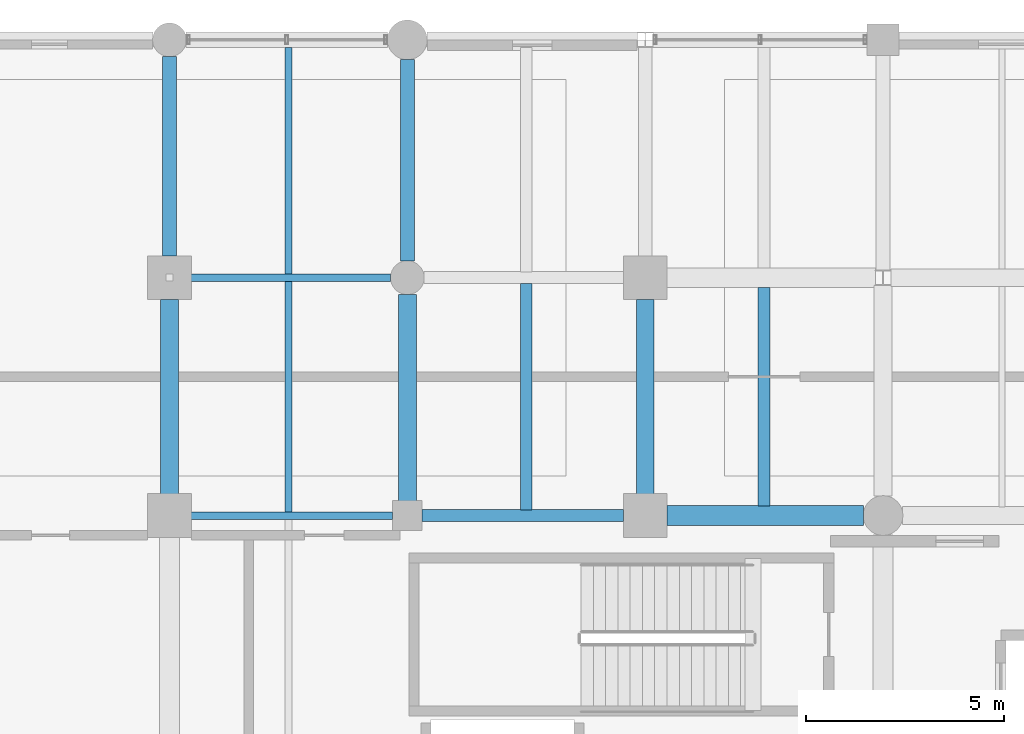
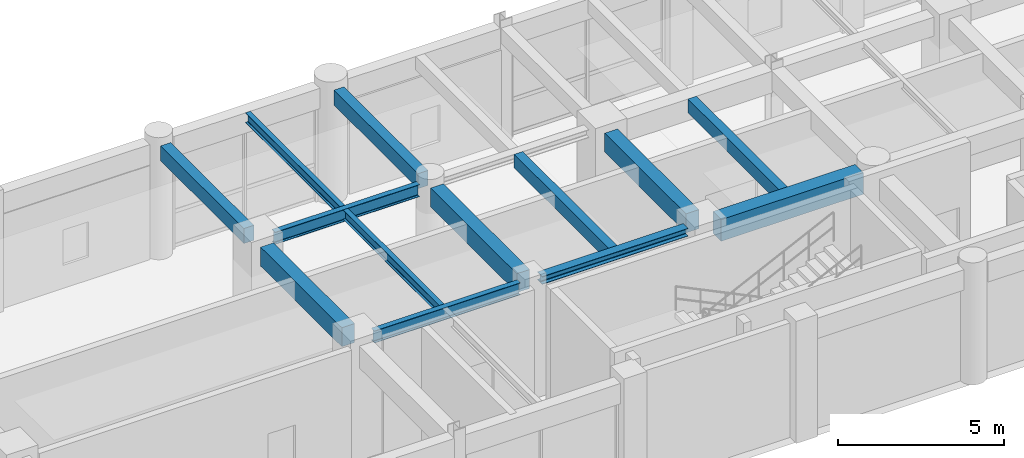
# One storey, part 52 of 133: 13 beams.
"""IFC4 building model written with IfcOpenShell, lengths in metres."""

from ifc_helpers import new_model, si_unit, direction, frame, origin, origin_2d, place, context, subcontext, project, spatial, rectangle, i_section, extrude, material, material_profile, profile_set, type_object, element, save


model = new_model("IFC4")

# Units and contexts
model_context = context("Model", 3, precision=1e-05, world=origin(), true_north=direction((0.0, 1.0)))
body_context = subcontext(model_context, "Body", "Model", "MODEL_VIEW")
ifc_project = project(units=[si_unit("LENGTHUNIT", "METRE"), si_unit("AREAUNIT", "SQUARE_METRE"), si_unit("VOLUMEUNIT", "CUBIC_METRE"), si_unit("PLANEANGLEUNIT", "RADIAN"), si_unit("MASSUNIT", "GRAM", prefix="KILO"), si_unit("THERMODYNAMICTEMPERATUREUNIT", "KELVIN"), si_unit("POWERUNIT", "WATT")], contexts=[model_context])

# Site, building, storey
site_placement = place(None, origin())
site = spatial("IfcSite", under=ifc_project, at=site_placement, CompositionType="ELEMENT")
building_placement = place(site_placement, origin())
building = spatial("IfcBuilding", under=site, at=building_placement, Name="Phaisarnlok Congress Hotel", CompositionType="ELEMENT")
storey_placement = place(building_placement, frame((0.0, 0.0, 6.0)))
storey = spatial("IfcBuildingStorey", under=building, at=storey_placement, Name="L01", CompositionType="ELEMENT", Elevation=6.0)

# Beams
ifc_material_1 = material(Name="Concrete C40/50", Category="concrete")
ifc_material_profile_1 = material_profile(ifc_material_1, rectangle(XDim=0.35009765625, YDim=0.550048828125, at=origin_2d()), Name="RC 350x550")
ifc_profile_set_1 = profile_set([ifc_material_profile_1], Name="Concrete C40/50")
beam_type_1 = type_object("IfcBeamType", Name="BM-RC-350x550", PredefinedType="BEAM", material=ifc_profile_set_1)
beam_1_placement = place(storey_placement, frame((96.0, 120.544921875, 3.945068359375), z_axis=(0.0, 1.0, 0.0), x_axis=(-1.0, 0.0, 0.0)))
element("IfcBeam", 1, at=beam_1_placement, inside=storey, type_object=beam_type_1, Name="Beam B-01", PredefinedType="BEAM", context=body_context, shape_type="SweptSolid", body=[
    extrude(rectangle(XDim=0.35009765625, YDim=0.550048828125, at=origin_2d()), origin(), (0.0, 0.0, 1.0), 5.03515625),
])
beam_2_placement = place(storey_placement, frame((102.0, 120.419921875, 3.945068359375), z_axis=(0.0, 1.0, 0.0), x_axis=(-1.0, 0.0, 0.0)))
element("IfcBeam", 2, at=beam_2_placement, inside=storey, type_object=beam_type_1, Name="Beam B-01", PredefinedType="BEAM", context=body_context, shape_type="SweptSolid", body=[
    extrude(rectangle(XDim=0.35009765625, YDim=0.550048828125, at=origin_2d()), origin(), (0.0, 0.0, 1.0), 5.0849609375),
])
ifc_material_profile_2 = material_profile(ifc_material_1, rectangle(XDim=0.449951171875, YDim=0.699951171875, at=origin_2d()), Name="RC 450x700")
ifc_profile_set_2 = profile_set([ifc_material_profile_2], Name="Concrete C40/50")
beam_type_2 = type_object("IfcBeamType", Name="BM-RC-450x700", PredefinedType="BEAM", material=ifc_profile_set_2)
beam_3_placement = place(storey_placement, frame((96.0, 114.544921875, 3.8701171875), z_axis=(0.0, 1.0, 0.0), x_axis=(-1.0, 0.0, 0.0)))
element("IfcBeam", 3, at=beam_3_placement, inside=storey, type_object=beam_type_2, Name="Beam B-03", PredefinedType="BEAM", context=body_context, shape_type="SweptSolid", body=[
    extrude(rectangle(XDim=0.449951171875, YDim=0.699951171875, at=origin_2d()), origin(), (0.0, 0.0, 1.0), 4.91015625),
])
beam_4_placement = place(storey_placement, frame((102.0, 114.3701171875, 3.8701171875), z_axis=(0.0, 1.0, 0.0), x_axis=(-1.0, 0.0, 0.0)))
element("IfcBeam", 4, at=beam_4_placement, inside=storey, type_object=beam_type_2, Name="Beam B-03", PredefinedType="BEAM", context=body_context, shape_type="SweptSolid", body=[
    extrude(rectangle(XDim=0.449951171875, YDim=0.699951171875, at=origin_2d()), origin(), (0.0, 0.0, 1.0), 5.2099609375),
])
beam_5_placement = place(storey_placement, frame((108.0, 114.544921875, 3.8701171875), z_axis=(0.0, 1.0, 0.0), x_axis=(-1.0, 0.0, 0.0)))
element("IfcBeam", 5, at=beam_5_placement, inside=storey, type_object=beam_type_2, Name="Beam B-03", PredefinedType="BEAM", context=body_context, shape_type="SweptSolid", body=[
    extrude(rectangle(XDim=0.449951171875, YDim=0.699951171875, at=origin_2d()), origin(), (0.0, 0.0, 1.0), 4.91015625),
])
ifc_material_profile_3 = material_profile(ifc_material_1, rectangle(XDim=0.5, YDim=0.800048828125, at=origin_2d()), Name="RC 500x800")
ifc_profile_set_3 = profile_set([ifc_material_profile_3], Name="Concrete C40/50")
beam_type_3 = type_object("IfcBeamType", Name="BM-RC-500x800", PredefinedType="BEAM", material=ifc_profile_set_3)
beam_6_placement = place(storey_placement, frame((108.544921875, 114.0, 3.820068359375), z_axis=(1.0, 0.0, 0.0), x_axis=(0.0, 1.0, 0.0)))
element("IfcBeam", 6, at=beam_6_placement, inside=storey, type_object=beam_type_3, Name="Beam B-04", PredefinedType="BEAM", context=body_context, shape_type="SweptSolid", body=[
    extrude(rectangle(XDim=0.5, YDim=0.800048828125, at=origin_2d()), origin(), (0.0, 0.0, 1.0), 4.9599609375),
])
ifc_material_2 = material(Name="Steel S355", Category="steel")
ifc_material_profile_4 = material_profile(ifc_material_2, i_section(OverallWidth=0.300048828125, OverallDepth=0.2900390625, WebThickness=0.008544921875, FlangeThickness=0.013916015625, FilletRadius=0.027099609375, at=origin_2d()), Name="HEA 300")
ifc_profile_set_4 = profile_set([ifc_material_profile_4], Name="Steel S355")
beam_type_4 = type_object("IfcBeamType", Name="BM-STL-HEA300", PredefinedType="BEAM", material=ifc_profile_set_4)
beam_7_placement = place(storey_placement, frame((102.3701171875, 114.0, 4.074951171875), z_axis=(1.0, 0.0, 0.0), x_axis=(0.0, 1.0, 0.0)))
element("IfcBeam", 7, at=beam_7_placement, inside=storey, type_object=beam_type_4, Name="Beam SB-05", PredefinedType="BEAM", context=body_context, shape_type="SweptSolid", body=[
    extrude(i_section(OverallWidth=0.300048828125, OverallDepth=0.2900390625, WebThickness=0.008544921875, FlangeThickness=0.013916015625, FilletRadius=0.027099609375, at=origin_2d()), origin(), (0.0, 0.0, 1.0), 5.0849609375),
])
ifc_material_profile_5 = material_profile(ifc_material_2, i_section(OverallWidth=0.18994140625, OverallDepth=0.449951171875, WebThickness=0.009521484375, FlangeThickness=0.0146484375, FilletRadius=0.02099609375, at=origin_2d()), Name="IPE 450")
ifc_profile_set_5 = profile_set([ifc_material_profile_5], Name="Steel S355")
beam_type_5 = type_object("IfcBeamType", Name="BM-STL-IPE450", PredefinedType="BEAM", material=ifc_profile_set_5)
beam_8_placement = place(storey_placement, frame((96.544921875, 114.0, 3.9951171875), z_axis=(1.0, 0.0, 0.0), x_axis=(0.0, 1.0, 0.0)))
element("IfcBeam", 8, at=beam_8_placement, inside=storey, type_object=beam_type_5, Name="Beam SB-01", PredefinedType="BEAM", context=body_context, shape_type="SweptSolid", body=[
    extrude(i_section(OverallWidth=0.18994140625, OverallDepth=0.449951171875, WebThickness=0.009521484375, FlangeThickness=0.0146484375, FilletRadius=0.02099609375, at=origin_2d()), origin(), (0.0, 0.0, 1.0), 5.0849609375),
])
beam_9_placement = place(storey_placement, frame((96.544921875, 120.0, 3.9951171875), z_axis=(1.0, 0.0, 0.0), x_axis=(0.0, 1.0, 0.0)))
element("IfcBeam", 9, at=beam_9_placement, inside=storey, type_object=beam_type_5, Name="Beam SB-01", PredefinedType="BEAM", context=body_context, shape_type="SweptSolid", body=[
    extrude(i_section(OverallWidth=0.18994140625, OverallDepth=0.449951171875, WebThickness=0.009521484375, FlangeThickness=0.0146484375, FilletRadius=0.02099609375, at=origin_2d()), origin(), (0.0, 0.0, 1.0), 5.03515625),
])
ifc_material_profile_6 = material_profile(ifc_material_1, rectangle(XDim=0.300048828125, YDim=0.5, at=origin_2d()), Name="RC 300x500")
ifc_profile_set_6 = profile_set([ifc_material_profile_6], Name="Concrete C40/50")
beam_type_6 = type_object("IfcBeamType", Name="JS-RC-300x500", PredefinedType="JOIST", material=ifc_profile_set_6)
beam_10_placement = place(storey_placement, frame((105.0, 114.14501953125, 3.969970703125), z_axis=(0.0, 1.0, 0.0), x_axis=(-1.0, 0.0, 0.0)))
element("IfcBeam", 10, at=beam_10_placement, inside=storey, type_object=beam_type_6, Name="Secondary floor joist J-01", PredefinedType="JOIST", context=body_context, shape_type="SweptSolid", body=[
    extrude(rectangle(XDim=0.300048828125, YDim=0.5, at=origin_2d()), origin(), (0.0, 0.0, 1.0), 5.7099609375),
])
beam_11_placement = place(storey_placement, frame((111.0, 114.2451171875, 3.969970703125), z_axis=(0.0, 1.0, 0.0), x_axis=(-1.0, 0.0, 0.0)))
element("IfcBeam", 11, at=beam_11_placement, inside=storey, type_object=beam_type_6, Name="Secondary floor joist J-01", PredefinedType="JOIST", context=body_context, shape_type="SweptSolid", body=[
    extrude(rectangle(XDim=0.300048828125, YDim=0.5, at=origin_2d()), origin(), (0.0, 0.0, 1.0), 5.509765625),
])
ifc_material_profile_7 = material_profile(ifc_material_2, i_section(OverallWidth=0.169921875, OverallDepth=0.360107421875, WebThickness=0.008056640625, FlangeThickness=0.0126953125, FilletRadius=0.01806640625, at=origin_2d()), Name="IPE 360")
ifc_profile_set_7 = profile_set([ifc_material_profile_7], Name="Steel S355")
beam_type_7 = type_object("IfcBeamType", Name="JS-STL-IPE360", PredefinedType="JOIST", material=ifc_profile_set_7)
beam_12_placement = place(storey_placement, frame((99.0, 114.090087890625, 4.0400390625), z_axis=(0.0, 1.0, 0.0), x_axis=(-1.0, 0.0, 0.0)))
element("IfcBeam", 12, at=beam_12_placement, inside=storey, type_object=beam_type_7, Name="Secondary floor joist J-04", PredefinedType="JOIST", context=body_context, shape_type="SweptSolid", body=[
    extrude(i_section(OverallWidth=0.169921875, OverallDepth=0.360107421875, WebThickness=0.008056640625, FlangeThickness=0.0126953125, FilletRadius=0.01806640625, at=origin_2d()), origin(), (0.0, 0.0, 1.0), 5.81982421875),
])
beam_13_placement = place(storey_placement, frame((99.0, 120.090087890625, 4.0400390625), z_axis=(0.0, 1.0, 0.0), x_axis=(-1.0, 0.0, 0.0)))
element("IfcBeam", 13, at=beam_13_placement, inside=storey, type_object=beam_type_7, Name="Secondary floor joist J-04", PredefinedType="JOIST", context=body_context, shape_type="SweptSolid", body=[
    extrude(i_section(OverallWidth=0.169921875, OverallDepth=0.360107421875, WebThickness=0.008056640625, FlangeThickness=0.0126953125, FilletRadius=0.01806640625, at=origin_2d()), origin(), (0.0, 0.0, 1.0), 5.71484375),
])

save(model, "model.ifc")
